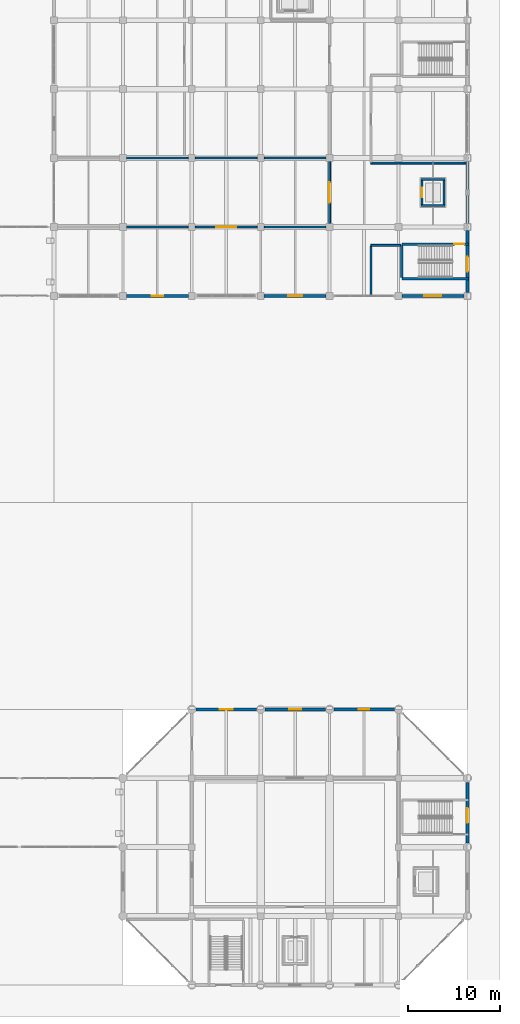
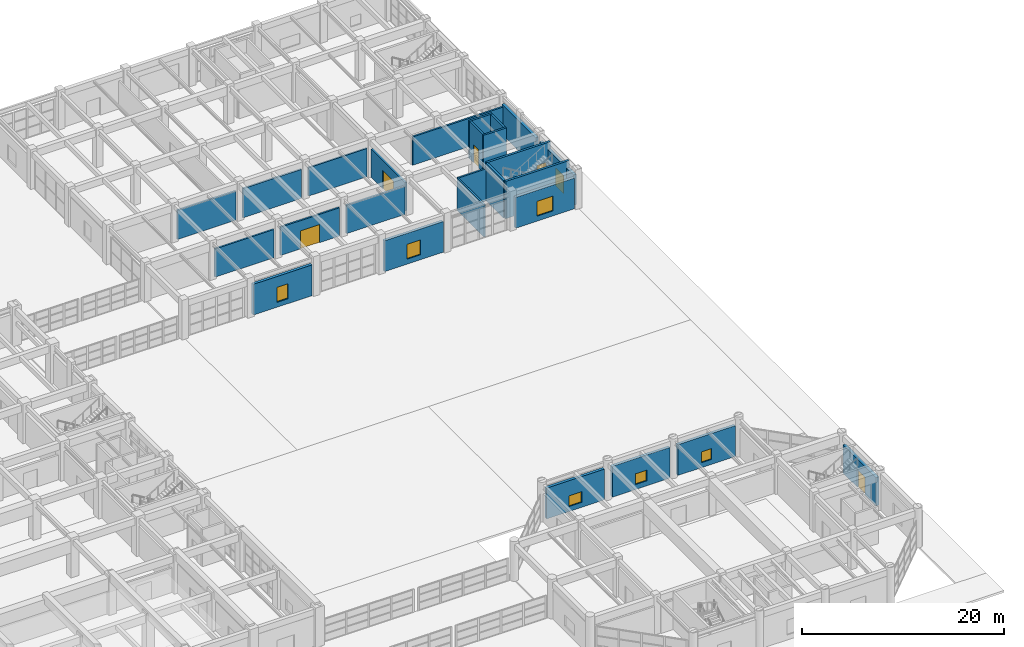
# One storey, part 95 of 122: 26 walls, 6 doors, 6 windows, 12 openings.
"""IFC4 building model written with IfcOpenShell, lengths in metres."""

from ifc_helpers import new_model, si_unit, direction, frame, frame_2d, origin, place, context, subcontext, project, spatial, rectangle, extrude, material, layer, layer_set, type_object, element, fill, save


model = new_model("IFC4")

# Units and contexts
model_context = context("Model", 3, precision=1e-05, world=origin(), true_north=direction((0.0, 1.0)))
body_context = subcontext(model_context, "Body", "Model", "MODEL_VIEW")
ifc_project = project(units=[si_unit("LENGTHUNIT", "METRE"), si_unit("AREAUNIT", "SQUARE_METRE"), si_unit("VOLUMEUNIT", "CUBIC_METRE"), si_unit("PLANEANGLEUNIT", "RADIAN"), si_unit("MASSUNIT", "GRAM", prefix="KILO")], contexts=[model_context])

# Site, building, storey
site_placement = place(None, origin())
site = spatial("IfcSite", under=ifc_project, at=site_placement, CompositionType="ELEMENT")
building_placement = place(site_placement, origin())
building = spatial("IfcBuilding", under=site, at=building_placement, Name="Qasida Concert Hall", CompositionType="ELEMENT")
storey_placement = place(building_placement, origin())
storey = spatial("IfcBuildingStorey", under=building, at=storey_placement, Name="L00", CompositionType="ELEMENT", Elevation=0.0)

# Walls
ifc_material_1 = material(Name="Concrete C40/50", Category="concrete")
ifc_layer_1 = layer(ifc_material_1, 0.219970703125, Name="Concrete C40/50")
ifc_layer_set_1 = layer_set([ifc_layer_1], Name="Concrete C40/50")
wall_type_1 = type_object("IfcWallType", Name="WL-CW-220", PredefinedType="SOLIDWALL", material=ifc_layer_set_1)
for number, where, z_axis, x_axis, name in (
    (1, (159.93994140625, 84.85009765625, 0.0), (0.0, 0.0, 1.0), (1.0, 0.0, 0.0), "L00 LF-09 lift shaft wall S"),
    (2, (159.93994140625, 87.64990234375, 0.0), (0.0, 0.0, 1.0), (1.0, 0.0, 0.0), "L00 LF-09 lift shaft wall N"),
):
    element("IfcWall", number, at=place(storey_placement, frame(where, z_axis=z_axis, x_axis=x_axis)), inside=storey, type_object=wall_type_1, Name=name, PredefinedType="SOLIDWALL", context=body_context, shape_type="SweptSolid", body=[
        extrude(rectangle(XDim=2.6201171875, YDim=0.219970703125, at=frame_2d((1.31005859375, 0.0))), origin(), (0.0, 0.0, 1.0), 4.5),
    ])

# Wall, opening, door
wall_1_placement = place(storey_placement, frame((160.050048828125, 84.9599609375, 0.0), z_axis=(0.0, 0.0, 1.0), x_axis=(0.0, 1.0, 0.0)))
wall_1 = element("IfcWall", 3, at=wall_1_placement, inside=storey, type_object=wall_type_1, Name="L00 LF-09 lift shaft wall W", PredefinedType="SOLIDWALL", context=body_context, shape_type="SweptSolid", body=[
    extrude(rectangle(XDim=2.580078125, YDim=0.219970703125, at=frame_2d((1.2900390625, 0.0))), origin(), (0.0, 0.0, 1.0), 4.5),
])
opening_1_placement = place(wall_1_placement, frame((0.7900390625, 0.0, 0.0)))
opening_1 = element("IfcOpeningElement", 4, at=opening_1_placement, cuts=wall_1, Name="Opening LD-100", PredefinedType="OPENING", context=body_context, shape_type="SweptSolid", body=[
    extrude(rectangle(XDim=1.0, YDim=2.14990234375, at=frame_2d((0.5, 1.074951171875))), frame((0.0, 0.119873046875, 0.0), z_axis=(0.0, -1.0, 0.0), x_axis=(1.0, 0.0, 0.0)), (0.0, 0.0, 1.0), 0.239990234375),
])
ifc_material_2 = material(Name="Brushed bronze passenger lift landing door", Category="steel")
door_type_1 = type_object("IfcDoorType", Name="LD-100", OperationType="SLIDING_TO_LEFT", PredefinedType="DOOR", material=ifc_material_2)
door_1_placement = place(opening_1_placement, origin())
door_1 = element("IfcDoor", 5, at=door_1_placement, inside=storey, type_object=door_type_1, Name="Lift landing door LF-09 L00", OperationType="SLIDING_TO_LEFT", OverallHeight=2.14990234375, OverallWidth=1.0, PredefinedType="DOOR", context=body_context, shape_type="SweptSolid", body=[
    extrude(rectangle(XDim=1.0, YDim=2.14990234375, at=frame_2d((0.5, 1.074951171875))), frame((0.0, 0.02490234375, 0.0), z_axis=(0.0, -1.0, 0.0), x_axis=(1.0, 0.0, 0.0)), (0.0, 0.0, 1.0), 0.050048828125),
])
fill(opening_1, door_1)

# Walls
wall_2_placement = place(storey_placement, frame((162.449951171875, 84.9599609375, 0.0), z_axis=(0.0, 0.0, 1.0), x_axis=(0.0, 1.0, 0.0)))
element("IfcWall", 6, at=wall_2_placement, inside=storey, type_object=wall_type_1, Name="L00 LF-09 lift shaft wall E", PredefinedType="SOLIDWALL", context=body_context, shape_type="SweptSolid", body=[
    extrude(rectangle(XDim=2.580078125, YDim=0.219970703125, at=frame_2d((1.2900390625, 0.0))), origin(), (0.0, 0.0, 1.0), 4.5),
])
ifc_layer_2 = layer(ifc_material_1, 0.25, Name="Concrete C40/50")
ifc_layer_set_2 = layer_set([ifc_layer_2], Name="Concrete C40/50")
wall_type_2 = type_object("IfcWallType", Name="WL-CW-250", PredefinedType="SOLIDWALL", material=ifc_layer_set_2)
wall_3_placement = place(storey_placement, frame((157.860107421875, 76.875, 0.0), z_axis=(0.0, 0.0, 1.0), x_axis=(1.0, 0.0, 0.0)))
element("IfcWall", 7, at=wall_3_placement, inside=storey, type_object=wall_type_2, Name="L00 ST-07 stairwell wall S", PredefinedType="SOLIDWALL", context=body_context, shape_type="SweptSolid", body=[
    extrude(rectangle(XDim=7.260009765625, YDim=0.25, at=frame_2d((3.6298828125, 0.0))), origin(), (0.0, 0.0, 1.0), 4.5),
])

# Wall, opening, door
wall_4_placement = place(storey_placement, frame((157.860107421875, 80.625, 0.0), z_axis=(0.0, 0.0, 1.0), x_axis=(1.0, 0.0, 0.0)))
wall_4 = element("IfcWall", 8, at=wall_4_placement, inside=storey, type_object=wall_type_2, Name="L00 ST-07 stairwell wall N", PredefinedType="SOLIDWALL", context=body_context, shape_type="SweptSolid", body=[
    extrude(rectangle(XDim=7.260009765625, YDim=0.25, at=frame_2d((3.6298828125, 0.0))), origin(), (0.0, 0.0, 1.0), 4.5),
])
opening_2_placement = place(wall_4_placement, frame((5.7099609375, 0.0, 0.0)))
opening_2 = element("IfcOpeningElement", 9, at=opening_2_placement, cuts=wall_4, Name="Opening FD-110", PredefinedType="OPENING", context=body_context, shape_type="SweptSolid", body=[
    extrude(rectangle(XDim=1.10009765625, YDim=2.14990234375, at=frame_2d((0.550048828125, 1.074951171875))), frame((0.0, 0.135009765625, 0.0), z_axis=(0.0, -1.0, 0.0), x_axis=(1.0, 0.0, 0.0)), (0.0, 0.0, 1.0), 0.27001953125),
])
ifc_material_3 = material(Name="Steel fire-rated stair/lobby door set", Category="steel")
door_type_2 = type_object("IfcDoorType", Name="FD-110", OperationType="NOTDEFINED", PredefinedType="DOOR", material=ifc_material_3)
door_2_placement = place(opening_2_placement, origin())
door_2 = element("IfcDoor", 10, at=door_2_placement, inside=storey, type_object=door_type_2, Name="L00 ST-07 rated stair door", OperationType="SINGLE_SWING_LEFT", OverallHeight=2.14990234375, OverallWidth=1.10009765625, PredefinedType="DOOR", context=body_context, shape_type="SweptSolid", body=[
    extrude(rectangle(XDim=1.10009765625, YDim=2.14990234375, at=frame_2d((0.550048828125, 1.074951171875))), frame((0.0, 0.02490234375, 0.0), z_axis=(0.0, -1.0, 0.0), x_axis=(1.0, 0.0, 0.0)), (0.0, 0.0, 1.0), 0.050048828125),
])
fill(opening_2, door_2)

# Wall
wall_5_placement = place(storey_placement, frame((157.85498046875, 77.0, 0.0), z_axis=(0.0, 0.0, 1.0), x_axis=(0.0, 1.0, 0.0)))
element("IfcWall", 11, at=wall_5_placement, inside=storey, type_object=wall_type_2, Name="L00 ST-07 stairwell wall W", PredefinedType="SOLIDWALL", context=body_context, shape_type="SweptSolid", body=[
    extrude(rectangle(XDim=3.5, YDim=0.25, at=frame_2d((1.75, 0.0))), origin(), (0.0, 0.0, 1.0), 4.5),
])

# Wall, opening, window
ifc_material_4 = material(Name="Precast concrete C40/50", Category="concrete")
ifc_layer_3 = layer(ifc_material_4, 0.320068359375, Name="Precast concrete C40/50")
ifc_layer_set_3 = layer_set([ifc_layer_3], Name="Precast concrete C40/50")
wall_type_3 = type_object("IfcWallType", Name="WL-EW-320", PredefinedType="SOLIDWALL", material=ifc_layer_set_3)
wall_6_placement = place(storey_placement, frame((157.044921875, 30.0, 0.0), z_axis=(0.0, 0.0, 1.0), x_axis=(-1.0, 0.0, 0.0)))
wall_6 = element("IfcWall", 12, at=wall_6_placement, inside=storey, type_object=wall_type_3, Name="L00 exterior wall EW-320 0151", PredefinedType="SOLIDWALL", context=body_context, shape_type="SweptSolid", body=[
    extrude(rectangle(XDim=6.58984375, YDim=0.320068359375, at=frame_2d((3.294921875, 0.0))), origin(), (0.0, 0.0, 1.0), 3.719970703125),
])
opening_3_placement = place(wall_6_placement, frame((2.719970703125, 0.0, 0.60009765625)))
opening_3 = element("IfcOpeningElement", 13, at=opening_3_placement, cuts=wall_6, Name="Opening WN-09", PredefinedType="OPENING", context=body_context, shape_type="SweptSolid", body=[
    extrude(rectangle(XDim=1.14990234375, YDim=1.300048828125, at=frame_2d((0.574951171875, 0.64990234375))), frame((0.0, 0.169921875, 0.0), z_axis=(0.0, -1.0, 0.0), x_axis=(1.0, 0.0, 0.0)), (0.0, 0.0, 1.0), 0.340087890625),
])
ifc_material_5 = material(Name="Bronze-anodized aluminium frame with acoustic low-E glazing", Category="aluminium")
window_type_1 = type_object("IfcWindowType", Name="WN-09", PartitioningType="SINGLE_PANEL", PredefinedType="WINDOW", material=ifc_material_5)
window_1_placement = place(opening_3_placement, origin())
window_1 = element("IfcWindow", 14, at=window_1_placement, inside=storey, type_object=window_type_1, Name="L00 window WN-09 0061", OverallHeight=1.300048828125, OverallWidth=1.14990234375, PartitioningType="SINGLE_PANEL", PredefinedType="WINDOW", context=body_context, shape_type="SweptSolid", body=[
    extrude(rectangle(XDim=1.14990234375, YDim=1.300048828125, at=frame_2d((0.574951171875, 0.64990234375))), frame((0.0, 0.030029296875, 0.0), z_axis=(0.0, -1.0, 0.0), x_axis=(1.0, 0.0, 0.0)), (0.0, 0.0, 1.0), 0.06005859375),
])
fill(opening_3, window_1)

wall_7_placement = place(storey_placement, frame((149.544921875, 30.0, 0.0), z_axis=(0.0, 0.0, 1.0), x_axis=(-1.0, 0.0, 0.0)))
wall_7 = element("IfcWall", 15, at=wall_7_placement, inside=storey, type_object=wall_type_3, Name="L00 exterior wall EW-320 0152", PredefinedType="SOLIDWALL", context=body_context, shape_type="SweptSolid", body=[
    extrude(rectangle(XDim=6.58984375, YDim=0.320068359375, at=frame_2d((3.294921875, 0.0))), origin(), (0.0, 0.0, 1.0), 3.719970703125),
])
opening_4_placement = place(wall_7_placement, frame((2.64501953125, 0.0, 0.60009765625)))
opening_4 = element("IfcOpeningElement", 16, at=opening_4_placement, cuts=wall_7, Name="Opening WN-10", PredefinedType="OPENING", context=body_context, shape_type="SweptSolid", body=[
    extrude(rectangle(XDim=1.300048828125, YDim=1.300048828125, at=frame_2d((0.64990234375, 0.64990234375))), frame((0.0, 0.169921875, 0.0), z_axis=(0.0, -1.0, 0.0), x_axis=(1.0, 0.0, 0.0)), (0.0, 0.0, 1.0), 0.340087890625),
])
window_type_2 = type_object("IfcWindowType", Name="WN-10", PartitioningType="SINGLE_PANEL", PredefinedType="WINDOW", material=ifc_material_5)
window_2_placement = place(opening_4_placement, origin())
window_2 = element("IfcWindow", 17, at=window_2_placement, inside=storey, type_object=window_type_2, Name="L00 window WN-10 0062", OverallHeight=1.300048828125, OverallWidth=1.300048828125, PartitioningType="SINGLE_PANEL", PredefinedType="WINDOW", context=body_context, shape_type="SweptSolid", body=[
    extrude(rectangle(XDim=1.300048828125, YDim=1.300048828125, at=frame_2d((0.64990234375, 0.64990234375))), frame((0.0, 0.030029296875, 0.0), z_axis=(0.0, -1.0, 0.0), x_axis=(1.0, 0.0, 0.0)), (0.0, 0.0, 1.0), 0.06005859375),
])
fill(opening_4, window_2)

wall_8_placement = place(storey_placement, frame((142.044921875, 30.0, 0.0), z_axis=(0.0, 0.0, 1.0), x_axis=(-1.0, 0.0, 0.0)))
wall_8 = element("IfcWall", 18, at=wall_8_placement, inside=storey, type_object=wall_type_3, Name="L00 exterior wall EW-320 0153", PredefinedType="SOLIDWALL", context=body_context, shape_type="SweptSolid", body=[
    extrude(rectangle(XDim=6.58984375, YDim=0.320068359375, at=frame_2d((3.294921875, 0.0))), origin(), (0.0, 0.0, 1.0), 3.719970703125),
])
opening_5_placement = place(wall_8_placement, frame((2.570068359375, 0.0, 0.60009765625)))
opening_5 = element("IfcOpeningElement", 19, at=opening_5_placement, cuts=wall_8, Name="Opening WN-11", PredefinedType="OPENING", context=body_context, shape_type="SweptSolid", body=[
    extrude(rectangle(XDim=1.449951171875, YDim=1.300048828125, at=frame_2d((0.72509765625, 0.64990234375))), frame((0.0, 0.169921875, 0.0), z_axis=(0.0, -1.0, 0.0), x_axis=(1.0, 0.0, 0.0)), (0.0, 0.0, 1.0), 0.340087890625),
])
window_type_3 = type_object("IfcWindowType", Name="WN-11", PartitioningType="SINGLE_PANEL", PredefinedType="WINDOW", material=ifc_material_5)
window_3_placement = place(opening_5_placement, origin())
window_3 = element("IfcWindow", 20, at=window_3_placement, inside=storey, type_object=window_type_3, Name="L00 window WN-11 0063", OverallHeight=1.300048828125, OverallWidth=1.449951171875, PartitioningType="SINGLE_PANEL", PredefinedType="WINDOW", context=body_context, shape_type="SweptSolid", body=[
    extrude(rectangle(XDim=1.449951171875, YDim=1.300048828125, at=frame_2d((0.72509765625, 0.64990234375))), frame((0.0, 0.030029296875, 0.0), z_axis=(0.0, -1.0, 0.0), x_axis=(1.0, 0.0, 0.0)), (0.0, 0.0, 1.0), 0.06005859375),
])
fill(opening_5, window_3)

wall_9_placement = place(storey_placement, frame((127.885009765625, 75.0, 0.0), z_axis=(0.0, 0.0, 1.0), x_axis=(1.0, 0.0, 0.0)))
wall_9 = element("IfcWall", 21, at=wall_9_placement, inside=storey, type_object=wall_type_3, Name="L00 exterior wall EW-320 0174", PredefinedType="SOLIDWALL", context=body_context, shape_type="SweptSolid", body=[
    extrude(rectangle(XDim=6.72998046875, YDim=0.320068359375, at=frame_2d((3.364990234375, 0.0))), origin(), (0.0, 0.0, 1.0), 3.719970703125),
])
opening_6_placement = place(wall_9_placement, frame((2.739990234375, 0.0, 0.60009765625)))
opening_6 = element("IfcOpeningElement", 22, at=opening_6_placement, cuts=wall_9, Name="Opening WN-02", PredefinedType="OPENING", context=body_context, shape_type="SweptSolid", body=[
    extrude(rectangle(XDim=1.25, YDim=1.800048828125, at=frame_2d((0.625, 0.89990234375))), frame((0.0, 0.169921875, 0.0), z_axis=(0.0, -1.0, 0.0), x_axis=(1.0, 0.0, 0.0)), (0.0, 0.0, 1.0), 0.340087890625),
])
window_type_4 = type_object("IfcWindowType", Name="WN-02", PartitioningType="SINGLE_PANEL", PredefinedType="WINDOW", material=ifc_material_5)
window_4_placement = place(opening_6_placement, origin())
window_4 = element("IfcWindow", 23, at=window_4_placement, inside=storey, type_object=window_type_4, Name="L00 window WN-02 0084", OverallHeight=1.800048828125, OverallWidth=1.25, PartitioningType="SINGLE_PANEL", PredefinedType="WINDOW", context=body_context, shape_type="SweptSolid", body=[
    extrude(rectangle(XDim=1.25, YDim=1.800048828125, at=frame_2d((0.625, 0.89990234375))), frame((0.0, 0.030029296875, 0.0), z_axis=(0.0, -1.0, 0.0), x_axis=(1.0, 0.0, 0.0)), (0.0, 0.0, 1.0), 0.06005859375),
])
fill(opening_6, window_4)

wall_10_placement = place(storey_placement, frame((142.885009765625, 75.0, 0.0), z_axis=(0.0, 0.0, 1.0), x_axis=(1.0, 0.0, 0.0)))
wall_10 = element("IfcWall", 24, at=wall_10_placement, inside=storey, type_object=wall_type_3, Name="L00 exterior wall EW-320 0177", PredefinedType="SOLIDWALL", context=body_context, shape_type="SweptSolid", body=[
    extrude(rectangle(XDim=6.72998046875, YDim=0.320068359375, at=frame_2d((3.364990234375, 0.0))), origin(), (0.0, 0.0, 1.0), 3.719970703125),
])
opening_7_placement = place(wall_10_placement, frame((2.590087890625, 0.0, 0.60009765625)))
opening_7 = element("IfcOpeningElement", 25, at=opening_7_placement, cuts=wall_10, Name="Opening WN-04", PredefinedType="OPENING", context=body_context, shape_type="SweptSolid", body=[
    extrude(rectangle(XDim=1.550048828125, YDim=1.800048828125, at=frame_2d((0.77490234375, 0.89990234375))), frame((0.0, 0.169921875, 0.0), z_axis=(0.0, -1.0, 0.0), x_axis=(1.0, 0.0, 0.0)), (0.0, 0.0, 1.0), 0.340087890625),
])
window_type_5 = type_object("IfcWindowType", Name="WN-04", PartitioningType="SINGLE_PANEL", PredefinedType="WINDOW", material=ifc_material_5)
window_5_placement = place(opening_7_placement, origin())
window_5 = element("IfcWindow", 26, at=window_5_placement, inside=storey, type_object=window_type_5, Name="L00 window WN-04 0085", OverallHeight=1.800048828125, OverallWidth=1.550048828125, PartitioningType="SINGLE_PANEL", PredefinedType="WINDOW", context=body_context, shape_type="SweptSolid", body=[
    extrude(rectangle(XDim=1.550048828125, YDim=1.800048828125, at=frame_2d((0.77490234375, 0.89990234375))), frame((0.0, 0.030029296875, 0.0), z_axis=(0.0, -1.0, 0.0), x_axis=(1.0, 0.0, 0.0)), (0.0, 0.0, 1.0), 0.06005859375),
])
fill(opening_7, window_5)

wall_11_placement = place(storey_placement, frame((157.885009765625, 75.0, 0.0), z_axis=(0.0, 0.0, 1.0), x_axis=(1.0, 0.0, 0.0)))
wall_11 = element("IfcWall", 27, at=wall_11_placement, inside=storey, type_object=wall_type_3, Name="L00 exterior wall EW-320 0179", PredefinedType="SOLIDWALL", context=body_context, shape_type="SweptSolid", body=[
    extrude(rectangle(XDim=6.72998046875, YDim=0.320068359375, at=frame_2d((3.364990234375, 0.0))), origin(), (0.0, 0.0, 1.0), 3.719970703125),
])
opening_8_placement = place(wall_11_placement, frame((2.43994140625, 0.0, 0.60009765625)))
opening_8 = element("IfcOpeningElement", 28, at=opening_8_placement, cuts=wall_11, Name="Opening WN-06", PredefinedType="OPENING", context=body_context, shape_type="SweptSolid", body=[
    extrude(rectangle(XDim=1.85009765625, YDim=1.800048828125, at=frame_2d((0.925048828125, 0.89990234375))), frame((0.0, 0.169921875, 0.0), z_axis=(0.0, -1.0, 0.0), x_axis=(1.0, 0.0, 0.0)), (0.0, 0.0, 1.0), 0.340087890625),
])
window_type_6 = type_object("IfcWindowType", Name="WN-06", PartitioningType="SINGLE_PANEL", PredefinedType="WINDOW", material=ifc_material_5)
window_6_placement = place(opening_8_placement, origin())
window_6 = element("IfcWindow", 29, at=window_6_placement, inside=storey, type_object=window_type_6, Name="L00 window WN-06 0087", OverallHeight=1.800048828125, OverallWidth=1.85009765625, PartitioningType="SINGLE_PANEL", PredefinedType="WINDOW", context=body_context, shape_type="SweptSolid", body=[
    extrude(rectangle(XDim=1.85009765625, YDim=1.800048828125, at=frame_2d((0.925048828125, 0.89990234375))), frame((0.0, 0.030029296875, 0.0), z_axis=(0.0, -1.0, 0.0), x_axis=(1.0, 0.0, 0.0)), (0.0, 0.0, 1.0), 0.06005859375),
])
fill(opening_8, window_6)

# Wall
wall_12_placement = place(storey_placement, frame((165.0, 82.885009765625, 0.0), z_axis=(0.0, 0.0, 1.0), x_axis=(0.0, 1.0, 0.0)))
element("IfcWall", 30, at=wall_12_placement, inside=storey, type_object=wall_type_3, Name="L00 exterior wall EW-320 0182", PredefinedType="SOLIDWALL", context=body_context, shape_type="SweptSolid", body=[
    extrude(rectangle(XDim=6.72998046875, YDim=0.320068359375, at=frame_2d((3.364990234375, 0.0))), origin(), (0.0, 0.0, 1.0), 3.6201171875),
])

# Wall, opening, door
ifc_layer_4 = layer(ifc_material_4, 0.340087890625, Name="Precast concrete C40/50")
ifc_layer_set_4 = layer_set([ifc_layer_4], Name="Precast concrete C40/50")
wall_type_4 = type_object("IfcWallType", Name="WL-EW-340", PredefinedType="SOLIDWALL", material=ifc_layer_set_4)
wall_13_placement = place(storey_placement, frame((165.0, 15.465087890625, 0.0), z_axis=(0.0, 0.0, 1.0), x_axis=(0.0, 1.0, 0.0)))
wall_13 = element("IfcWall", 31, at=wall_13_placement, inside=storey, type_object=wall_type_4, Name="L00 exterior wall EW-340 0150", PredefinedType="SOLIDWALL", context=body_context, shape_type="SweptSolid", body=[
    extrude(rectangle(XDim=6.56982421875, YDim=0.340087890625, at=frame_2d((3.284912109375, 0.0))), origin(), (0.0, 0.0, 1.0), 3.419921875),
])
opening_9_placement = place(wall_13_placement, frame((2.172119140625, 0.0, 0.0)))
opening_9 = element("IfcOpeningElement", 32, at=opening_9_placement, cuts=wall_13, Name="Opening ED-160", PredefinedType="OPENING", context=body_context, shape_type="SweptSolid", body=[
    extrude(rectangle(XDim=1.60009765625, YDim=2.14990234375, at=frame_2d((0.800048828125, 1.074951171875))), frame((0.0, 0.179931640625, 0.0), z_axis=(0.0, -1.0, 0.0), x_axis=(1.0, 0.0, 0.0)), (0.0, 0.0, 1.0), 0.360107421875),
])
ifc_material_6 = material(Name="Patinated architectural bronze and laminated safety glass", Category="glass")
door_type_3 = type_object("IfcDoorType", Name="ED-160", OperationType="NOTDEFINED", PredefinedType="DOOR", material=ifc_material_6)
door_3_placement = place(opening_9_placement, frame((1.60009765625, 0.0, 0.0), z_axis=(0.0, 0.0, 1.0), x_axis=(-1.0, 0.0, 0.0)))
door_3 = element("IfcDoor", 33, at=door_3_placement, inside=storey, type_object=door_type_3, Name="Exit stair ST-10 final discharge door", OperationType="SINGLE_SWING_RIGHT", OverallHeight=2.14990234375, OverallWidth=1.60009765625, PredefinedType="DOOR", context=body_context, shape_type="SweptSolid", body=[
    extrude(rectangle(XDim=1.60009765625, YDim=2.14990234375, at=frame_2d((0.800048828125, 1.074951171875))), frame((0.0, 0.02490234375, 0.0), z_axis=(0.0, -1.0, 0.0), x_axis=(1.0, 0.0, 0.0)), (0.0, 0.0, 1.0), 0.050048828125),
])
fill(opening_9, door_3)

wall_14_placement = place(storey_placement, frame((165.0, 75.385009765625, 0.0), z_axis=(0.0, 0.0, 1.0), x_axis=(0.0, 1.0, 0.0)))
wall_14 = element("IfcWall", 34, at=wall_14_placement, inside=storey, type_object=wall_type_4, Name="L00 exterior wall EW-340 0181", PredefinedType="SOLIDWALL", context=body_context, shape_type="SweptSolid", body=[
    extrude(rectangle(XDim=6.72998046875, YDim=0.340087890625, at=frame_2d((3.364990234375, 0.0))), origin(), (0.0, 0.0, 1.0), 3.669921875),
])
opening_10_placement = place(wall_14_placement, frame((2.251953125, 0.0, 0.0)))
opening_10 = element("IfcOpeningElement", 35, at=opening_10_placement, cuts=wall_14, Name="Opening ED-160", PredefinedType="OPENING", context=body_context, shape_type="SweptSolid", body=[
    extrude(rectangle(XDim=1.60009765625, YDim=2.14990234375, at=frame_2d((0.800048828125, 1.074951171875))), frame((0.0, 0.179931640625, 0.0), z_axis=(0.0, -1.0, 0.0), x_axis=(1.0, 0.0, 0.0)), (0.0, 0.0, 1.0), 0.360107421875),
])
door_4_placement = place(opening_10_placement, frame((1.60009765625, 0.0, 0.0), z_axis=(0.0, 0.0, 1.0), x_axis=(-1.0, 0.0, 0.0)))
door_4 = element("IfcDoor", 36, at=door_4_placement, inside=storey, type_object=door_type_3, Name="Exit stair ST-07 final discharge door", OperationType="SINGLE_SWING_RIGHT", OverallHeight=2.14990234375, OverallWidth=1.60009765625, PredefinedType="DOOR", context=body_context, shape_type="SweptSolid", body=[
    extrude(rectangle(XDim=1.60009765625, YDim=2.14990234375, at=frame_2d((0.800048828125, 1.074951171875))), frame((0.0, 0.02490234375, 0.0), z_axis=(0.0, -1.0, 0.0), x_axis=(1.0, 0.0, 0.0)), (0.0, 0.0, 1.0), 0.050048828125),
])
fill(opening_10, door_4)

# Walls
ifc_material_7 = material(Name="Acoustic gypsum block and mineral wool", Category="gypsum")
ifc_layer_5 = layer(ifc_material_7, 0.199951171875, Name="Acoustic gypsum block and mineral wool")
ifc_layer_set_5 = layer_set([ifc_layer_5], Name="Acoustic gypsum block and mineral wool")
wall_type_5 = type_object("IfcWallType", Name="WL-PW-200", PredefinedType="PARTITIONING", material=ifc_layer_set_5)
wall_15_placement = place(storey_placement, frame((154.5, 80.5, 0.0), z_axis=(0.0, 0.0, 1.0), x_axis=(1.0, 0.0, 0.0)))
element("IfcWall", 37, at=wall_15_placement, inside=storey, type_object=wall_type_5, Name="L00 partition PW-200 0521", PredefinedType="PARTITIONING", context=body_context, shape_type="SweptSolid", body=[
    extrude(rectangle(XDim=3.216064453125, YDim=0.199951171875, at=frame_2d((1.60791015625, 0.0))), origin(), (0.0, 0.0, 1.0), 3.8701171875),
])
wall_16_placement = place(storey_placement, frame((154.5, 75.112060546875, 0.0), z_axis=(0.0, 0.0, 1.0), x_axis=(0.0, 1.0, 0.0)))
element("IfcWall", 38, at=wall_16_placement, inside=storey, type_object=wall_type_5, Name="L00 partition PW-200 0522", PredefinedType="PARTITIONING", context=body_context, shape_type="SweptSolid", body=[
    extrude(rectangle(XDim=5.27392578125, YDim=0.199951171875, at=frame_2d((2.636962890625, 0.0))), origin(), (0.0, 0.0, 1.0), 3.8701171875),
])
wall_17_placement = place(storey_placement, frame((154.5, 89.449951171875, 0.0), z_axis=(0.0, 0.0, 1.0), x_axis=(1.0, 0.0, 0.0)))
element("IfcWall", 39, at=wall_17_placement, inside=storey, type_object=wall_type_5, Name="L00 partition PW-200 0523", PredefinedType="PARTITIONING", context=body_context, shape_type="SweptSolid", body=[
    extrude(rectangle(XDim=10.325927734375, YDim=0.199951171875, at=frame_2d((5.1630859375, 0.0))), origin(), (0.0, 0.0, 1.0), 3.419921875),
])
wall_18_placement = place(storey_placement, frame((127.888916015625, 82.5, 0.0), z_axis=(0.0, 0.0, 1.0), x_axis=(1.0, 0.0, 0.0)))
element("IfcWall", 40, at=wall_18_placement, inside=storey, type_object=wall_type_5, Name="L00 partition PW-200 0548", PredefinedType="PARTITIONING", context=body_context, shape_type="SweptSolid", body=[
    extrude(rectangle(XDim=6.72216796875, YDim=0.199951171875, at=frame_2d((3.361083984375, 0.0))), origin(), (0.0, 0.0, 1.0), 3.419921875),
])

# Wall, opening, door
wall_19_placement = place(storey_placement, frame((135.388916015625, 82.5, 0.0), z_axis=(0.0, 0.0, 1.0), x_axis=(1.0, 0.0, 0.0)))
wall_19 = element("IfcWall", 41, at=wall_19_placement, inside=storey, type_object=wall_type_5, Name="L00 partition PW-200 0549", PredefinedType="PARTITIONING", context=body_context, shape_type="SweptSolid", body=[
    extrude(rectangle(XDim=6.72216796875, YDim=0.199951171875, at=frame_2d((3.361083984375, 0.0))), origin(), (0.0, 0.0, 1.0), 3.419921875),
])
opening_11_placement = place(wall_19_placement, frame((2.260986328125, 0.0, 0.0)))
opening_11 = element("IfcOpeningElement", 42, at=opening_11_placement, cuts=wall_19, Name="Opening AD-220", PredefinedType="OPENING", context=body_context, shape_type="SweptSolid", body=[
    extrude(rectangle(XDim=2.199951171875, YDim=2.179931640625, at=frame_2d((1.10009765625, 1.08984375))), frame((0.0, 0.10986328125, 0.0), z_axis=(0.0, -1.0, 0.0), x_axis=(1.0, 0.0, 0.0)), (0.0, 0.0, 1.0), 0.219970703125),
])
ifc_material_8 = material(Name="Stage piano crossover double acoustic door", Category="wood")
door_type_4 = type_object("IfcDoorType", Name="AD-220", OperationType="NOTDEFINED", PredefinedType="DOOR", material=ifc_material_8)
door_5_placement = place(opening_11_placement, origin())
door_5 = element("IfcDoor", 43, at=door_5_placement, inside=storey, type_object=door_type_4, Name="L00 Piano vault bridge concourse door", OperationType="SINGLE_SWING_RIGHT", OverallHeight=2.179931640625, OverallWidth=2.199951171875, PredefinedType="DOOR", context=body_context, shape_type="SweptSolid", body=[
    extrude(rectangle(XDim=2.199951171875, YDim=2.179931640625, at=frame_2d((1.10009765625, 1.08984375))), frame((0.0, 0.02490234375, 0.0), z_axis=(0.0, -1.0, 0.0), x_axis=(1.0, 0.0, 0.0)), (0.0, 0.0, 1.0), 0.050048828125),
])
fill(opening_11, door_5)

# Walls
wall_20_placement = place(storey_placement, frame((142.888916015625, 82.5, 0.0), z_axis=(0.0, 0.0, 1.0), x_axis=(1.0, 0.0, 0.0)))
element("IfcWall", 44, at=wall_20_placement, inside=storey, type_object=wall_type_5, Name="L00 partition PW-200 0550", PredefinedType="PARTITIONING", context=body_context, shape_type="SweptSolid", body=[
    extrude(rectangle(XDim=6.72216796875, YDim=0.199951171875, at=frame_2d((3.361083984375, 0.0))), origin(), (0.0, 0.0, 1.0), 3.419921875),
])
for number, where, z_axis, x_axis, name in (
    (45, (127.888916015625, 90.0, 0.0), (0.0, 0.0, 1.0), (1.0, 0.0, 0.0), "L00 partition PW-200 0552"),
    (46, (135.388916015625, 90.0, 0.0), (0.0, 0.0, 1.0), (1.0, 0.0, 0.0), "L00 partition PW-200 0553"),
):
    element("IfcWall", number, at=place(storey_placement, frame(where, z_axis=z_axis, x_axis=x_axis)), inside=storey, type_object=wall_type_5, Name=name, PredefinedType="PARTITIONING", context=body_context, shape_type="SweptSolid", body=[
        extrude(rectangle(XDim=6.72216796875, YDim=0.199951171875, at=frame_2d((3.361083984375, 0.0))), origin(), (0.0, 0.0, 1.0), 3.52001953125),
    ])
wall_21_placement = place(storey_placement, frame((142.888916015625, 90.0, 0.0), z_axis=(0.0, 0.0, 1.0), x_axis=(1.0, 0.0, 0.0)))
element("IfcWall", 47, at=wall_21_placement, inside=storey, type_object=wall_type_5, Name="L00 partition PW-200 0554", PredefinedType="PARTITIONING", context=body_context, shape_type="SweptSolid", body=[
    extrude(rectangle(XDim=6.72216796875, YDim=0.199951171875, at=frame_2d((3.361083984375, 0.0))), origin(), (0.0, 0.0, 1.0), 3.419921875),
])

# Wall, opening, door
wall_22_placement = place(storey_placement, frame((150.0, 82.888916015625, 0.0), z_axis=(0.0, 0.0, 1.0), x_axis=(0.0, 1.0, 0.0)))
wall_22 = element("IfcWall", 48, at=wall_22_placement, inside=storey, type_object=wall_type_5, Name="L00 partition PW-200 0556", PredefinedType="PARTITIONING", context=body_context, shape_type="SweptSolid", body=[
    extrude(rectangle(XDim=6.72216796875, YDim=0.199951171875, at=frame_2d((3.361083984375, 0.0))), origin(), (0.0, 0.0, 1.0), 3.419921875),
])
opening_12_placement = place(wall_22_placement, frame((2.260986328125, 0.0, 0.0)))
opening_12 = element("IfcOpeningElement", 49, at=opening_12_placement, cuts=wall_22, Name="Opening AD-220", PredefinedType="OPENING", context=body_context, shape_type="SweptSolid", body=[
    extrude(rectangle(XDim=2.199951171875, YDim=2.179931640625, at=frame_2d((1.10009765625, 1.08984375))), frame((0.0, 0.10986328125, 0.0), z_axis=(0.0, -1.0, 0.0), x_axis=(1.0, 0.0, 0.0)), (0.0, 0.0, 1.0), 0.219970703125),
])
door_6_placement = place(opening_12_placement, origin())
door_6 = element("IfcDoor", 50, at=door_6_placement, inside=storey, type_object=door_type_4, Name="L00 Piano vault stagehouse door", OperationType="SINGLE_SWING_RIGHT", OverallHeight=2.179931640625, OverallWidth=2.199951171875, PredefinedType="DOOR", context=body_context, shape_type="SweptSolid", body=[
    extrude(rectangle(XDim=2.199951171875, YDim=2.179931640625, at=frame_2d((1.10009765625, 1.08984375))), frame((0.0, 0.02490234375, 0.0), z_axis=(0.0, -1.0, 0.0), x_axis=(1.0, 0.0, 0.0)), (0.0, 0.0, 1.0), 0.050048828125),
])
fill(opening_12, door_6)

save(model, "model.ifc")
